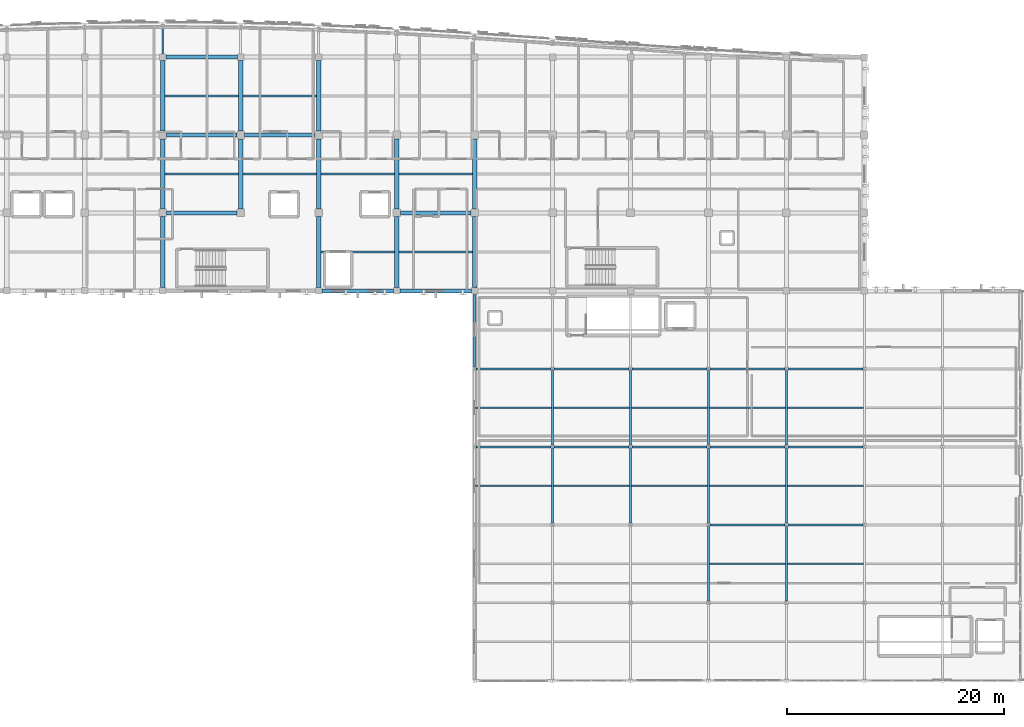
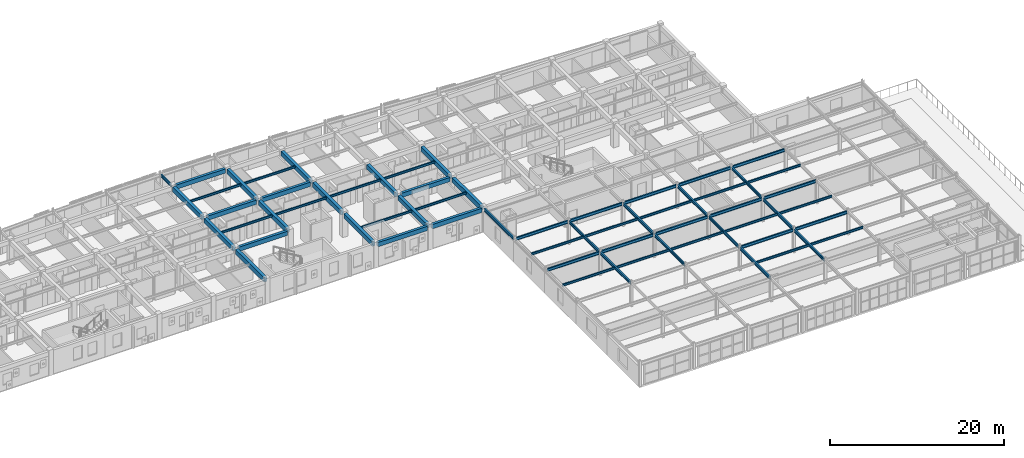
# One storey, part 28 of 73: 63 beams.
"""IFC4 building model written with IfcOpenShell, lengths in metres."""

from ifc_helpers import new_model, si_unit, direction, frame, origin, origin_2d, place, context, subcontext, project, spatial, rectangle, i_section, extrude, material, material_profile, profile_set, type_object, element, save


model = new_model("IFC4")

# Units and contexts
model_context = context("Model", 3, precision=1e-05, world=origin(), true_north=direction((0.0, 1.0)))
body_context = subcontext(model_context, "Body", "Model", "MODEL_VIEW")
ifc_project = project(units=[si_unit("LENGTHUNIT", "METRE"), si_unit("AREAUNIT", "SQUARE_METRE"), si_unit("VOLUMEUNIT", "CUBIC_METRE"), si_unit("PLANEANGLEUNIT", "RADIAN"), si_unit("MASSUNIT", "GRAM", prefix="KILO")], contexts=[model_context])

# Site, building, storey
site_placement = place(None, origin())
site = spatial("IfcSite", under=ifc_project, at=site_placement, CompositionType="ELEMENT")
building_placement = place(site_placement, origin())
building = spatial("IfcBuilding", under=site, at=building_placement, Name="Carrowvane Square Congress Hotel", CompositionType="ELEMENT")
storey_placement = place(building_placement, frame((0.0, 0.0, 19.199951171875)))
storey = spatial("IfcBuildingStorey", under=building, at=storey_placement, Name="L04", CompositionType="ELEMENT", Elevation=19.199951171875)

# Beams
ifc_material_1 = material(Name="Concrete C35/45", Category="concrete")
ifc_material_profile_1 = material_profile(ifc_material_1, rectangle(XDim=0.35009765625, YDim=0.60009765625, at=origin_2d()), Name="RC 350x600")
ifc_profile_set_1 = profile_set([ifc_material_profile_1], Name="Concrete C35/45")
beam_type_1 = type_object("IfcBeamType", Name="BM-RC-350x600", PredefinedType="BEAM", material=ifc_profile_set_1)
for number, where, z_axis, x_axis, name in (
    (1, (112.699951171875, 91.800048828125, 3.050048828125), (1.0, 0.0, 0.0), (0.0, 1.0, 0.0), "L05 girder N/15-16"),
    (2, (119.89990234375, 91.800048828125, 3.050048828125), (1.0, 0.0, 0.0), (0.0, 1.0, 0.0), "L05 girder N/16-17"),
):
    element("IfcBeam", number, at=place(storey_placement, frame(where, z_axis=z_axis, x_axis=x_axis)), inside=storey, type_object=beam_type_1, Name=name, PredefinedType="BEAM", context=body_context, shape_type="SweptSolid", body=[
        extrude(rectangle(XDim=0.35009765625, YDim=0.60009765625, at=origin_2d()), origin(), (0.0, 0.0, 1.0), 6.60009765625),
    ])
for number, where, z_axis, x_axis, name in (
    (3, (98.35009765625, 99.0, 3.050048828125), (1.0, 0.0, 0.0), (0.0, 1.0, 0.0), "L05 girder P/13-14"),
    (4, (119.949951171875, 99.0, 3.050048828125), (1.0, 0.0, 0.0), (0.0, 1.0, 0.0), "L05 girder P/16-17"),
    (5, (98.35009765625, 106.199951171875, 3.050048828125), (1.0, 0.0, 0.0), (0.0, 1.0, 0.0), "L05 girder Q/13-14"),
    (6, (105.550048828125, 106.199951171875, 3.050048828125), (1.0, 0.0, 0.0), (0.0, 1.0, 0.0), "L05 girder Q/14-15"),
):
    element("IfcBeam", number, at=place(storey_placement, frame(where, z_axis=z_axis, x_axis=x_axis)), inside=storey, type_object=beam_type_1, Name=name, PredefinedType="BEAM", context=body_context, shape_type="SweptSolid", body=[
        extrude(rectangle(XDim=0.35009765625, YDim=0.60009765625, at=origin_2d()), origin(), (0.0, 0.0, 1.0), 6.5),
    ])
beam_1_placement = place(storey_placement, frame((98.300048828125, 113.39990234375, 3.050048828125), z_axis=(1.0, 0.0, 0.0), x_axis=(0.0, 1.0, 0.0)))
element("IfcBeam", 7, at=beam_1_placement, inside=storey, type_object=beam_type_1, Name="L05 girder R/13-14", PredefinedType="BEAM", context=body_context, shape_type="SweptSolid", body=[
    extrude(rectangle(XDim=0.35009765625, YDim=0.60009765625, at=origin_2d()), origin(), (0.0, 0.0, 1.0), 6.599853515625),
])
ifc_material_2 = material(Name="Concrete C35/45", Category="concrete")
ifc_material_profile_2 = material_profile(ifc_material_2, rectangle(XDim=0.39990234375, YDim=0.64990234375, at=origin_2d()), Name="RC 400x650")
ifc_profile_set_2 = profile_set([ifc_material_profile_2], Name="Concrete C35/45")
beam_type_2 = type_object("IfcBeamType", Name="BM-RC-400x650", PredefinedType="BEAM", material=ifc_profile_set_2)
beam_2_placement = place(storey_placement, frame((98.0, 92.10009765625, 3.025146484375), z_axis=(0.0, 1.0, 0.0), x_axis=(-1.0, 0.0, 0.0)))
element("IfcBeam", 8, at=beam_2_placement, inside=storey, type_object=beam_type_2, Name="L05 girder 13/N-P", PredefinedType="BEAM", context=body_context, shape_type="SweptSolid", body=[
    extrude(rectangle(XDim=0.39990234375, YDim=0.64990234375, at=origin_2d()), origin(), (0.0, 0.0, 1.0), 6.5498046875),
])
beam_3_placement = place(storey_placement, frame((98.0, 99.35009765625, 3.025146484375), z_axis=(0.0, 1.0, 0.0), x_axis=(-1.0, 0.0, 0.0)))
element("IfcBeam", 9, at=beam_3_placement, inside=storey, type_object=beam_type_2, Name="L05 girder 13/P-Q", PredefinedType="BEAM", context=body_context, shape_type="SweptSolid", body=[
    extrude(rectangle(XDim=0.39990234375, YDim=0.64990234375, at=origin_2d()), origin(), (0.0, 0.0, 1.0), 6.5),
])
beam_4_placement = place(storey_placement, frame((98.0, 106.550048828125, 3.025146484375), z_axis=(0.0, 1.0, 0.0), x_axis=(-1.0, 0.0, 0.0)))
element("IfcBeam", 10, at=beam_4_placement, inside=storey, type_object=beam_type_2, Name="L05 girder 13/Q-R", PredefinedType="BEAM", context=body_context, shape_type="SweptSolid", body=[
    extrude(rectangle(XDim=0.39990234375, YDim=0.64990234375, at=origin_2d()), origin(), (0.0, 0.0, 1.0), 6.550048828125),
])
beam_5_placement = place(storey_placement, frame((105.199951171875, 99.35009765625, 3.025146484375), z_axis=(0.0, 1.0, 0.0), x_axis=(-1.0, 0.0, 0.0)))
element("IfcBeam", 11, at=beam_5_placement, inside=storey, type_object=beam_type_2, Name="L05 girder 14/P-Q", PredefinedType="BEAM", context=body_context, shape_type="SweptSolid", body=[
    extrude(rectangle(XDim=0.39990234375, YDim=0.64990234375, at=origin_2d()), origin(), (0.0, 0.0, 1.0), 6.5),
])
beam_6_placement = place(storey_placement, frame((105.199951171875, 106.550048828125, 3.025146484375), z_axis=(0.0, 1.0, 0.0), x_axis=(-1.0, 0.0, 0.0)))
element("IfcBeam", 12, at=beam_6_placement, inside=storey, type_object=beam_type_2, Name="L05 girder 14/Q-R", PredefinedType="BEAM", context=body_context, shape_type="SweptSolid", body=[
    extrude(rectangle(XDim=0.39990234375, YDim=0.64990234375, at=origin_2d()), origin(), (0.0, 0.0, 1.0), 6.550048828125),
])
beam_7_placement = place(storey_placement, frame((112.39990234375, 92.10009765625, 3.025146484375), z_axis=(0.0, 1.0, 0.0), x_axis=(-1.0, 0.0, 0.0)))
element("IfcBeam", 13, at=beam_7_placement, inside=storey, type_object=beam_type_2, Name="L05 girder 15/N-P", PredefinedType="BEAM", context=body_context, shape_type="SweptSolid", body=[
    extrude(rectangle(XDim=0.39990234375, YDim=0.64990234375, at=origin_2d()), origin(), (0.0, 0.0, 1.0), 6.5498046875),
])
beam_8_placement = place(storey_placement, frame((112.39990234375, 99.35009765625, 3.025146484375), z_axis=(0.0, 1.0, 0.0), x_axis=(-1.0, 0.0, 0.0)))
element("IfcBeam", 14, at=beam_8_placement, inside=storey, type_object=beam_type_2, Name="L05 girder 15/P-Q", PredefinedType="BEAM", context=body_context, shape_type="SweptSolid", body=[
    extrude(rectangle(XDim=0.39990234375, YDim=0.64990234375, at=origin_2d()), origin(), (0.0, 0.0, 1.0), 6.5),
])
beam_9_placement = place(storey_placement, frame((112.39990234375, 106.550048828125, 3.025146484375), z_axis=(0.0, 1.0, 0.0), x_axis=(-1.0, 0.0, 0.0)))
element("IfcBeam", 15, at=beam_9_placement, inside=storey, type_object=beam_type_2, Name="L05 girder 15/Q-R", PredefinedType="BEAM", context=body_context, shape_type="SweptSolid", body=[
    extrude(rectangle(XDim=0.39990234375, YDim=0.64990234375, at=origin_2d()), origin(), (0.0, 0.0, 1.0), 6.550048828125),
])
beam_10_placement = place(storey_placement, frame((119.60009765625, 92.10009765625, 3.025146484375), z_axis=(0.0, 1.0, 0.0), x_axis=(-1.0, 0.0, 0.0)))
element("IfcBeam", 16, at=beam_10_placement, inside=storey, type_object=beam_type_2, Name="L05 girder 16/N-P", PredefinedType="BEAM", context=body_context, shape_type="SweptSolid", body=[
    extrude(rectangle(XDim=0.39990234375, YDim=0.64990234375, at=origin_2d()), origin(), (0.0, 0.0, 1.0), 6.5498046875),
])
beam_11_placement = place(storey_placement, frame((119.60009765625, 99.35009765625, 3.025146484375), z_axis=(0.0, 1.0, 0.0), x_axis=(-1.0, 0.0, 0.0)))
element("IfcBeam", 17, at=beam_11_placement, inside=storey, type_object=beam_type_2, Name="L05 girder 16/P-Q", PredefinedType="BEAM", context=body_context, shape_type="SweptSolid", body=[
    extrude(rectangle(XDim=0.39990234375, YDim=0.64990234375, at=origin_2d()), origin(), (0.0, 0.0, 1.0), 6.5),
])
beam_12_placement = place(storey_placement, frame((126.800048828125, 92.10009765625, 3.025146484375), z_axis=(0.0, 1.0, 0.0), x_axis=(-1.0, 0.0, 0.0)))
element("IfcBeam", 18, at=beam_12_placement, inside=storey, type_object=beam_type_2, Name="L05 girder 17/N-P", PredefinedType="BEAM", context=body_context, shape_type="SweptSolid", body=[
    extrude(rectangle(XDim=0.39990234375, YDim=0.64990234375, at=origin_2d()), origin(), (0.0, 0.0, 1.0), 6.5498046875),
])
beam_13_placement = place(storey_placement, frame((126.800048828125, 99.35009765625, 3.025146484375), z_axis=(0.0, 1.0, 0.0), x_axis=(-1.0, 0.0, 0.0)))
element("IfcBeam", 19, at=beam_13_placement, inside=storey, type_object=beam_type_2, Name="L05 girder 17/P-Q", PredefinedType="BEAM", context=body_context, shape_type="SweptSolid", body=[
    extrude(rectangle(XDim=0.39990234375, YDim=0.64990234375, at=origin_2d()), origin(), (0.0, 0.0, 1.0), 6.5),
])
ifc_material_3 = material(Name="Steel S355", Category="steel")
ifc_material_profile_3 = material_profile(ifc_material_3, i_section(OverallWidth=0.165771484375, OverallDepth=0.306640625, WebThickness=0.006591796875, FlangeThickness=0.01171875, FilletRadius=0.0087890625, at=origin_2d()), Name="UKB 305x165x46")
ifc_profile_set_3 = profile_set([ifc_material_profile_3], Name="Steel S355")
beam_type_3 = type_object("IfcBeamType", Name="BM-ST-UKB305", PredefinedType="JOIST", material=ifc_profile_set_3)
for number, where, z_axis, x_axis, name in (
    (20, (98.199951171875, 102.60009765625, 3.19677734375), (1.0, 0.0, 0.0), (0.0, 1.0, 0.0), "L05 secondary joist 13-14"),
    (21, (98.199951171875, 109.800048828125, 3.19677734375), (1.0, 0.0, 0.0), (0.0, 1.0, 0.0), "L05 secondary joist 13-14"),
    (22, (105.39990234375, 102.60009765625, 3.19677734375), (1.0, 0.0, 0.0), (0.0, 1.0, 0.0), "L05 secondary joist 14-15"),
    (23, (105.39990234375, 109.800048828125, 3.19677734375), (1.0, 0.0, 0.0), (0.0, 1.0, 0.0), "L05 secondary joist 14-15"),
):
    element("IfcBeam", number, at=place(storey_placement, frame(where, z_axis=z_axis, x_axis=x_axis)), inside=storey, type_object=beam_type_3, Name=name, PredefinedType="JOIST", context=body_context, shape_type="SweptSolid", body=[
        extrude(i_section(OverallWidth=0.165771484375, OverallDepth=0.306640625, WebThickness=0.006591796875, FlangeThickness=0.01171875, FilletRadius=0.0087890625, at=origin_2d()), origin(), (0.0, 0.0, 1.0), 6.800048828125),
    ])
for number, where, z_axis, x_axis, name in (
    (24, (112.60009765625, 95.39990234375, 3.19677734375), (1.0, 0.0, 0.0), (0.0, 1.0, 0.0), "L05 secondary joist 15-16"),
    (25, (112.60009765625, 102.60009765625, 3.19677734375), (1.0, 0.0, 0.0), (0.0, 1.0, 0.0), "L05 secondary joist 15-16"),
):
    element("IfcBeam", number, at=place(storey_placement, frame(where, z_axis=z_axis, x_axis=x_axis)), inside=storey, type_object=beam_type_3, Name=name, PredefinedType="JOIST", context=body_context, shape_type="SweptSolid", body=[
        extrude(i_section(OverallWidth=0.165771484375, OverallDepth=0.306640625, WebThickness=0.006591796875, FlangeThickness=0.01171875, FilletRadius=0.0087890625, at=origin_2d()), origin(), (0.0, 0.0, 1.0), 6.7998046875),
    ])
for number, where, z_axis, x_axis, name in (
    (26, (119.800048828125, 95.39990234375, 3.19677734375), (1.0, 0.0, 0.0), (0.0, 1.0, 0.0), "L05 secondary joist 16-17"),
    (27, (119.800048828125, 102.60009765625, 3.19677734375), (1.0, 0.0, 0.0), (0.0, 1.0, 0.0), "L05 secondary joist 16-17"),
):
    element("IfcBeam", number, at=place(storey_placement, frame(where, z_axis=z_axis, x_axis=x_axis)), inside=storey, type_object=beam_type_3, Name=name, PredefinedType="JOIST", context=body_context, shape_type="SweptSolid", body=[
        extrude(i_section(OverallWidth=0.165771484375, OverallDepth=0.306640625, WebThickness=0.006591796875, FlangeThickness=0.01171875, FilletRadius=0.0087890625, at=origin_2d()), origin(), (0.0, 0.0, 1.0), 6.800048828125),
    ])
for number, where, z_axis, x_axis, name in (
    (28, (126.889404296875, 73.800048828125, 3.19677734375), (1.0, 0.0, 0.0), (0.0, 1.0, 0.0), "L05 secondary joist 17-18"),
    (29, (126.889404296875, 81.0, 3.19677734375), (1.0, 0.0, 0.0), (0.0, 1.0, 0.0), "L05 secondary joist 17-18"),
    (30, (134.08935546875, 73.800048828125, 3.19677734375), (1.0, 0.0, 0.0), (0.0, 1.0, 0.0), "L05 secondary joist 18-19"),
    (31, (134.08935546875, 81.0, 3.19677734375), (1.0, 0.0, 0.0), (0.0, 1.0, 0.0), "L05 secondary joist 18-19"),
    (32, (141.289306640625, 73.800048828125, 3.19677734375), (1.0, 0.0, 0.0), (0.0, 1.0, 0.0), "L05 secondary joist 19-20"),
    (33, (141.289306640625, 81.0, 3.19677734375), (1.0, 0.0, 0.0), (0.0, 1.0, 0.0), "L05 secondary joist 19-20"),
):
    element("IfcBeam", number, at=place(storey_placement, frame(where, z_axis=z_axis, x_axis=x_axis)), inside=storey, type_object=beam_type_3, Name=name, PredefinedType="JOIST", context=body_context, shape_type="SweptSolid", body=[
        extrude(i_section(OverallWidth=0.165771484375, OverallDepth=0.306640625, WebThickness=0.006591796875, FlangeThickness=0.01171875, FilletRadius=0.0087890625, at=origin_2d()), origin(), (0.0, 0.0, 1.0), 7.021240234375),
    ])
for number, where, z_axis, x_axis, name in (
    (34, (148.489501953125, 66.60009765625, 3.19677734375), (1.0, 0.0, 0.0), (0.0, 1.0, 0.0), "L05 secondary joist 20-21"),
    (35, (148.489501953125, 73.800048828125, 3.19677734375), (1.0, 0.0, 0.0), (0.0, 1.0, 0.0), "L05 secondary joist 20-21"),
    (36, (148.489501953125, 81.0, 3.19677734375), (1.0, 0.0, 0.0), (0.0, 1.0, 0.0), "L05 secondary joist 20-21"),
):
    element("IfcBeam", number, at=place(storey_placement, frame(where, z_axis=z_axis, x_axis=x_axis)), inside=storey, type_object=beam_type_3, Name=name, PredefinedType="JOIST", context=body_context, shape_type="SweptSolid", body=[
        extrude(i_section(OverallWidth=0.165771484375, OverallDepth=0.306640625, WebThickness=0.006591796875, FlangeThickness=0.01171875, FilletRadius=0.0087890625, at=origin_2d()), origin(), (0.0, 0.0, 1.0), 7.02099609375),
    ])
for number, where, z_axis, x_axis, name in (
    (37, (155.689453125, 66.60009765625, 3.19677734375), (1.0, 0.0, 0.0), (0.0, 1.0, 0.0), "L05 secondary joist 21-22"),
    (38, (155.689453125, 73.800048828125, 3.19677734375), (1.0, 0.0, 0.0), (0.0, 1.0, 0.0), "L05 secondary joist 21-22"),
    (39, (155.689453125, 81.0, 3.19677734375), (1.0, 0.0, 0.0), (0.0, 1.0, 0.0), "L05 secondary joist 21-22"),
):
    element("IfcBeam", number, at=place(storey_placement, frame(where, z_axis=z_axis, x_axis=x_axis)), inside=storey, type_object=beam_type_3, Name=name, PredefinedType="JOIST", context=body_context, shape_type="SweptSolid", body=[
        extrude(i_section(OverallWidth=0.165771484375, OverallDepth=0.306640625, WebThickness=0.006591796875, FlangeThickness=0.01171875, FilletRadius=0.0087890625, at=origin_2d()), origin(), (0.0, 0.0, 1.0), 7.021240234375),
    ])
ifc_material_4 = material(Name="Steel S355", Category="steel")
ifc_material_profile_4 = material_profile(ifc_material_4, i_section(OverallWidth=0.1787109375, OverallDepth=0.409423828125, WebThickness=0.0087890625, FlangeThickness=0.014404296875, FilletRadius=0.01025390625, at=origin_2d()), Name="UKB 406x178x67")
ifc_profile_set_4 = profile_set([ifc_material_profile_4], Name="Steel S355")
beam_type_4 = type_object("IfcBeamType", Name="BM-ST-UKB406", PredefinedType="BEAM", material=ifc_profile_set_4)
for number, where, z_axis, x_axis, name in (
    (40, (148.550048828125, 70.199951171875, 3.145263671875), (1.0, 0.0, 0.0), (0.0, 1.0, 0.0), "L05 girder K/20-21"),
    (41, (155.75, 70.199951171875, 3.145263671875), (1.0, 0.0, 0.0), (0.0, 1.0, 0.0), "L05 girder K/21-22"),
):
    element("IfcBeam", number, at=place(storey_placement, frame(where, z_axis=z_axis, x_axis=x_axis)), inside=storey, type_object=beam_type_4, Name=name, PredefinedType="BEAM", context=body_context, shape_type="SweptSolid", body=[
        extrude(i_section(OverallWidth=0.1787109375, OverallDepth=0.409423828125, WebThickness=0.0087890625, FlangeThickness=0.014404296875, FilletRadius=0.01025390625, at=origin_2d()), origin(), (0.0, 0.0, 1.0), 6.89990234375),
    ])
for number, where, z_axis, x_axis, name in (
    (42, (126.949951171875, 77.39990234375, 3.145263671875), (1.0, 0.0, 0.0), (0.0, 1.0, 0.0), "L05 girder L/17-18"),
    (43, (134.14990234375, 77.39990234375, 3.145263671875), (1.0, 0.0, 0.0), (0.0, 1.0, 0.0), "L05 girder L/18-19"),
):
    element("IfcBeam", number, at=place(storey_placement, frame(where, z_axis=z_axis, x_axis=x_axis)), inside=storey, type_object=beam_type_4, Name=name, PredefinedType="BEAM", context=body_context, shape_type="SweptSolid", body=[
        extrude(i_section(OverallWidth=0.1787109375, OverallDepth=0.409423828125, WebThickness=0.0087890625, FlangeThickness=0.014404296875, FilletRadius=0.01025390625, at=origin_2d()), origin(), (0.0, 0.0, 1.0), 6.900146484375),
    ])
for number, where, z_axis, x_axis, name in (
    (44, (141.35009765625, 77.39990234375, 3.145263671875), (1.0, 0.0, 0.0), (0.0, 1.0, 0.0), "L05 girder L/19-20"),
    (45, (148.550048828125, 77.39990234375, 3.145263671875), (1.0, 0.0, 0.0), (0.0, 1.0, 0.0), "L05 girder L/20-21"),
    (46, (155.75, 77.39990234375, 3.145263671875), (1.0, 0.0, 0.0), (0.0, 1.0, 0.0), "L05 girder L/21-22"),
):
    element("IfcBeam", number, at=place(storey_placement, frame(where, z_axis=z_axis, x_axis=x_axis)), inside=storey, type_object=beam_type_4, Name=name, PredefinedType="BEAM", context=body_context, shape_type="SweptSolid", body=[
        extrude(i_section(OverallWidth=0.1787109375, OverallDepth=0.409423828125, WebThickness=0.0087890625, FlangeThickness=0.014404296875, FilletRadius=0.01025390625, at=origin_2d()), origin(), (0.0, 0.0, 1.0), 6.89990234375),
    ])
for number, where, z_axis, x_axis, name in (
    (47, (126.949951171875, 84.60009765625, 3.145263671875), (1.0, 0.0, 0.0), (0.0, 1.0, 0.0), "L05 girder M/17-18"),
    (48, (134.14990234375, 84.60009765625, 3.145263671875), (1.0, 0.0, 0.0), (0.0, 1.0, 0.0), "L05 girder M/18-19"),
):
    element("IfcBeam", number, at=place(storey_placement, frame(where, z_axis=z_axis, x_axis=x_axis)), inside=storey, type_object=beam_type_4, Name=name, PredefinedType="BEAM", context=body_context, shape_type="SweptSolid", body=[
        extrude(i_section(OverallWidth=0.1787109375, OverallDepth=0.409423828125, WebThickness=0.0087890625, FlangeThickness=0.014404296875, FilletRadius=0.01025390625, at=origin_2d()), origin(), (0.0, 0.0, 1.0), 6.900146484375),
    ])
for number, where, z_axis, x_axis, name in (
    (49, (141.35009765625, 84.60009765625, 3.145263671875), (1.0, 0.0, 0.0), (0.0, 1.0, 0.0), "L05 girder M/19-20"),
    (50, (148.550048828125, 84.60009765625, 3.145263671875), (1.0, 0.0, 0.0), (0.0, 1.0, 0.0), "L05 girder M/20-21"),
    (51, (155.75, 84.60009765625, 3.145263671875), (1.0, 0.0, 0.0), (0.0, 1.0, 0.0), "L05 girder M/21-22"),
):
    element("IfcBeam", number, at=place(storey_placement, frame(where, z_axis=z_axis, x_axis=x_axis)), inside=storey, type_object=beam_type_4, Name=name, PredefinedType="BEAM", context=body_context, shape_type="SweptSolid", body=[
        extrude(i_section(OverallWidth=0.1787109375, OverallDepth=0.409423828125, WebThickness=0.0087890625, FlangeThickness=0.014404296875, FilletRadius=0.01025390625, at=origin_2d()), origin(), (0.0, 0.0, 1.0), 6.89990234375),
    ])
beam_14_placement = place(storey_placement, frame((126.800048828125, 84.75, 3.145263671875), z_axis=(0.0, 1.0, 0.0), x_axis=(-1.0, 0.0, 0.0)))
element("IfcBeam", 52, at=beam_14_placement, inside=storey, type_object=beam_type_4, Name="L05 girder 17/M-N", PredefinedType="BEAM", context=body_context, shape_type="SweptSolid", body=[
    extrude(i_section(OverallWidth=0.1787109375, OverallDepth=0.409423828125, WebThickness=0.0087890625, FlangeThickness=0.014404296875, FilletRadius=0.01025390625, at=origin_2d()), origin(), (0.0, 0.0, 1.0), 6.75),
])
for number, where, z_axis, x_axis, name in (
    (53, (134.0, 70.35009765625, 3.145263671875), (0.0, 1.0, 0.0), (-1.0, 0.0, 0.0), "L05 girder 18/K-L"),
    (54, (134.0, 77.550048828125, 3.145263671875), (0.0, 1.0, 0.0), (-1.0, 0.0, 0.0), "L05 girder 18/L-M"),
    (55, (141.199951171875, 70.35009765625, 3.145263671875), (0.0, 1.0, 0.0), (-1.0, 0.0, 0.0), "L05 girder 19/K-L"),
    (56, (141.199951171875, 77.550048828125, 3.145263671875), (0.0, 1.0, 0.0), (-1.0, 0.0, 0.0), "L05 girder 19/L-M"),
):
    element("IfcBeam", number, at=place(storey_placement, frame(where, z_axis=z_axis, x_axis=x_axis)), inside=storey, type_object=beam_type_4, Name=name, PredefinedType="BEAM", context=body_context, shape_type="SweptSolid", body=[
        extrude(i_section(OverallWidth=0.1787109375, OverallDepth=0.409423828125, WebThickness=0.0087890625, FlangeThickness=0.014404296875, FilletRadius=0.01025390625, at=origin_2d()), origin(), (0.0, 0.0, 1.0), 6.89990234375),
    ])
beam_15_placement = place(storey_placement, frame((148.39990234375, 63.14990234375, 3.145263671875), z_axis=(0.0, 1.0, 0.0), x_axis=(-1.0, 0.0, 0.0)))
element("IfcBeam", 57, at=beam_15_placement, inside=storey, type_object=beam_type_4, Name="L05 girder 20/J-K", PredefinedType="BEAM", context=body_context, shape_type="SweptSolid", body=[
    extrude(i_section(OverallWidth=0.1787109375, OverallDepth=0.409423828125, WebThickness=0.0087890625, FlangeThickness=0.014404296875, FilletRadius=0.01025390625, at=origin_2d()), origin(), (0.0, 0.0, 1.0), 6.900146484375),
])
for number, where, z_axis, x_axis, name in (
    (58, (148.39990234375, 70.35009765625, 3.145263671875), (0.0, 1.0, 0.0), (-1.0, 0.0, 0.0), "L05 girder 20/K-L"),
    (59, (148.39990234375, 77.550048828125, 3.145263671875), (0.0, 1.0, 0.0), (-1.0, 0.0, 0.0), "L05 girder 20/L-M"),
):
    element("IfcBeam", number, at=place(storey_placement, frame(where, z_axis=z_axis, x_axis=x_axis)), inside=storey, type_object=beam_type_4, Name=name, PredefinedType="BEAM", context=body_context, shape_type="SweptSolid", body=[
        extrude(i_section(OverallWidth=0.1787109375, OverallDepth=0.409423828125, WebThickness=0.0087890625, FlangeThickness=0.014404296875, FilletRadius=0.01025390625, at=origin_2d()), origin(), (0.0, 0.0, 1.0), 6.89990234375),
    ])
beam_16_placement = place(storey_placement, frame((155.60009765625, 63.14990234375, 3.145263671875), z_axis=(0.0, 1.0, 0.0), x_axis=(-1.0, 0.0, 0.0)))
element("IfcBeam", 60, at=beam_16_placement, inside=storey, type_object=beam_type_4, Name="L05 girder 21/J-K", PredefinedType="BEAM", context=body_context, shape_type="SweptSolid", body=[
    extrude(i_section(OverallWidth=0.1787109375, OverallDepth=0.409423828125, WebThickness=0.0087890625, FlangeThickness=0.014404296875, FilletRadius=0.01025390625, at=origin_2d()), origin(), (0.0, 0.0, 1.0), 6.900146484375),
])
for number, where, z_axis, x_axis, name in (
    (61, (155.60009765625, 70.35009765625, 3.145263671875), (0.0, 1.0, 0.0), (-1.0, 0.0, 0.0), "L05 girder 21/K-L"),
    (62, (155.60009765625, 77.550048828125, 3.145263671875), (0.0, 1.0, 0.0), (-1.0, 0.0, 0.0), "L05 girder 21/L-M"),
):
    element("IfcBeam", number, at=place(storey_placement, frame(where, z_axis=z_axis, x_axis=x_axis)), inside=storey, type_object=beam_type_4, Name=name, PredefinedType="BEAM", context=body_context, shape_type="SweptSolid", body=[
        extrude(i_section(OverallWidth=0.1787109375, OverallDepth=0.409423828125, WebThickness=0.0087890625, FlangeThickness=0.014404296875, FilletRadius=0.01025390625, at=origin_2d()), origin(), (0.0, 0.0, 1.0), 6.89990234375),
    ])
beam_17_placement = place(storey_placement, frame((98.0, 113.699951171875, 3.145263671875), z_axis=(0.0, 1.0, 0.0), x_axis=(-1.0, 0.0, 0.0)))
element("IfcBeam", 63, at=beam_17_placement, inside=storey, type_object=beam_type_4, Name="L05 radial north beam 13", PredefinedType="BEAM", context=body_context, shape_type="SweptSolid", body=[
    extrude(i_section(OverallWidth=0.1787109375, OverallDepth=0.409423828125, WebThickness=0.0087890625, FlangeThickness=0.014404296875, FilletRadius=0.01025390625, at=origin_2d()), origin(), (0.0, 0.0, 1.0), 2.3701171875),
])

save(model, "model.ifc")
